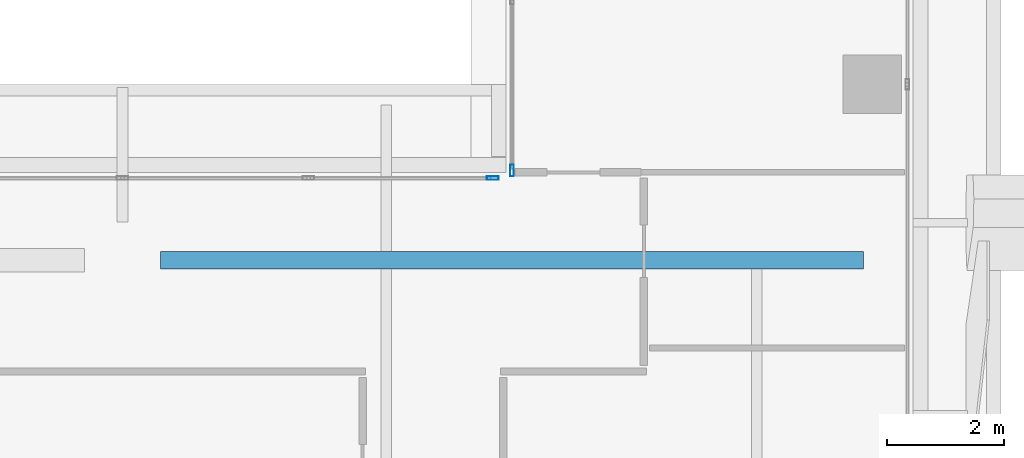
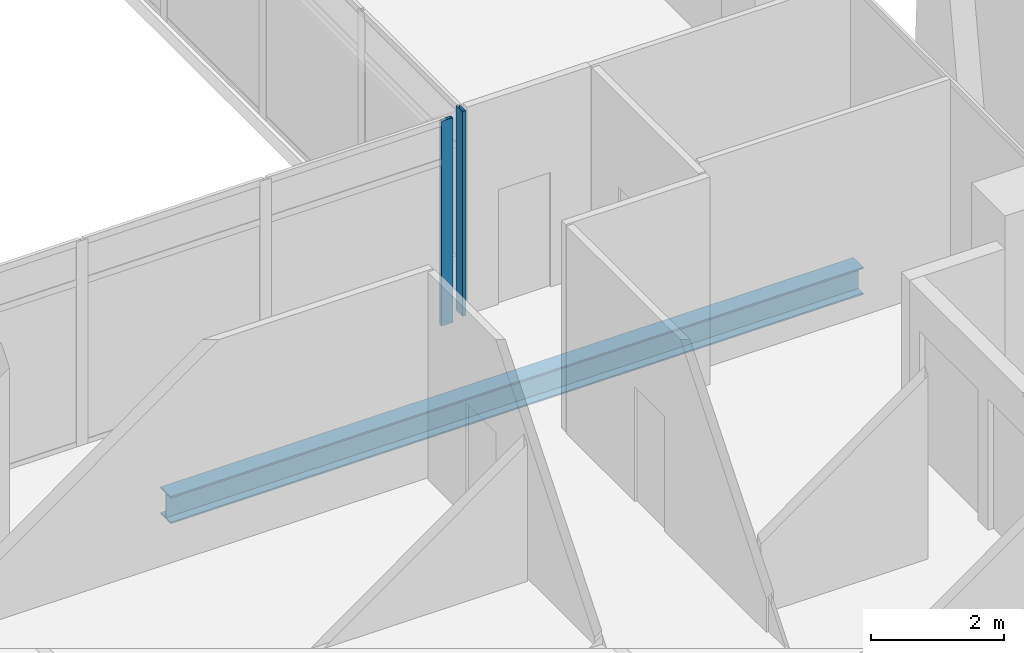
# One storey, part 14 of 43: 2 members, 1 beam, 2 elements without a shape of their own.
"""IFC4 building model written with IfcOpenShell, lengths in metres."""

from ifc_helpers import new_model, si_unit, direction, frame, origin, origin_2d, place, context, subcontext, project, spatial, hollow_rectangle, i_section, extrude, source, transform, mapped, material, material_profile, profile_set, type_object, element, aggregate, save


model = new_model("IFC4")

# Units and contexts
model_context = context("Model", 3, precision=1e-05, world=origin(), true_north=direction((0.0, 1.0)))
body_context = subcontext(model_context, "Body", "Model", "MODEL_VIEW")
ifc_project = project(units=[si_unit("LENGTHUNIT", "METRE"), si_unit("AREAUNIT", "SQUARE_METRE"), si_unit("VOLUMEUNIT", "CUBIC_METRE"), si_unit("PLANEANGLEUNIT", "RADIAN"), si_unit("MASSUNIT", "GRAM", prefix="KILO")], contexts=[model_context])

# Site, building, storey
site_placement = place(None, origin())
site = spatial("IfcSite", under=ifc_project, at=site_placement, CompositionType="ELEMENT")
building_placement = place(site_placement, origin())
building = spatial("IfcBuilding", under=site, at=building_placement, Name="Khomas Fold Tower", CompositionType="ELEMENT")
storey_placement = place(building_placement, frame((0.0, 0.0, 164.699951171875)))
storey = spatial("IfcBuildingStorey", under=building, at=storey_placement, Name="L35", CompositionType="ELEMENT", Elevation=164.699951171875)

# Beam
ifc_material_1 = material(Name="Steel S355", Category="steel")
ifc_material_profile_1 = material_profile(ifc_material_1, i_section(OverallWidth=0.300048828125, OverallDepth=0.5, WebThickness=0.014404296875, FlangeThickness=0.028076171875, at=origin_2d()), Name="HE 500 B")
ifc_profile_set_1 = profile_set([ifc_material_profile_1], Name="Steel S355")
beam_type = type_object("IfcBeamType", Name="HE 500 B beam GB3", PredefinedType="BEAM", material=ifc_profile_set_1)
shared_shape_1 = source(origin(), body_context, "Body", "SweptSolid", [
    extrude(i_section(OverallWidth=0.300048828125, OverallDepth=0.5, WebThickness=0.014404296875, FlangeThickness=0.028076171875, at=origin_2d()), origin(), (0.0, 0.0, 1.0), 12.0),
])
beam_placement = place(storey_placement, frame((38.14990234375, 31.5, -0.5), z_axis=(1.0, 0.0, 0.0), x_axis=(0.0, 1.0, 0.0)))
element("IfcBeam", 1, at=beam_placement, inside=storey, type_object=beam_type, Name="GB3", PredefinedType="BEAM", context=body_context, shape_type="MappedRepresentation", body=[
    mapped(shared_shape_1, transform((0.0, 0.0, 0.0))),
])

# Curtain wall, member
ifc_material_2 = material(Name="Aluminium framed double glazing", Category="aluminium")
curtain_wall_type = type_object("IfcCurtainWallType", Name="Notch glazing GN-CW", PredefinedType="NOTDEFINED", material=ifc_material_2)
curtain_wall_1_placement = place(storey_placement, origin())
curtain_wall_1 = element("IfcCurtainWall", 2, at=curtain_wall_1_placement, inside=storey, type_object=curtain_wall_type, Name="Notch glazing run", PredefinedType="NOTDEFINED")
ifc_material_3 = material(Name="Aluminium", Category="aluminium")
ifc_material_profile_2 = material_profile(ifc_material_3, hollow_rectangle(XDim=0.06005859375, YDim=0.199951171875, WallThickness=0.00390625, at=origin_2d()), Name="Notch glazing mullion GN-CW-M")
ifc_profile_set_2 = profile_set([ifc_material_profile_2], Name="Aluminium")
member_type = type_object("IfcMemberType", Name="Notch glazing mullion GN-CW-M", PredefinedType="MULLION", material=ifc_profile_set_2)
shared_shape_2 = source(origin(), body_context, "Body", "SweptSolid", [
    extrude(hollow_rectangle(XDim=0.06005859375, YDim=0.199951171875, WallThickness=0.00390625, at=origin_2d()), origin(), (0.0, 0.0, 1.0), 3.75),
])
member_1_placement = place(storey_placement, frame((44.14990234375, 33.030029296875, 0.0), z_axis=(0.0, 0.0, 1.0), x_axis=(1.0, 0.0, 0.0)))
member_1 = element("IfcMember", 3, at=member_1_placement, type_object=member_type, Name="GN-CW mullion 7", PredefinedType="MULLION", context=body_context, shape_type="MappedRepresentation", body=[
    mapped(shared_shape_2, transform((0.0, 0.0, 0.0))),
])
aggregate(curtain_wall_1, [member_1])

curtain_wall_2_placement = place(storey_placement, origin())
curtain_wall_2 = element("IfcCurtainWall", 4, at=curtain_wall_2_placement, inside=storey, type_object=curtain_wall_type, Name="Notch glazing run", PredefinedType="NOTDEFINED")
member_2_placement = place(storey_placement, frame((43.820068359375, 32.89990234375, 0.0), z_axis=(0.0, 0.0, 1.0), x_axis=(0.0, -1.0, 0.0)))
member_2 = element("IfcMember", 5, at=member_2_placement, type_object=member_type, Name="GN-CW mullion 1", PredefinedType="MULLION", context=body_context, shape_type="MappedRepresentation", body=[
    mapped(shared_shape_2, transform((0.0, 0.0, 0.0))),
])
aggregate(curtain_wall_2, [member_2])

save(model, "model.ifc")
